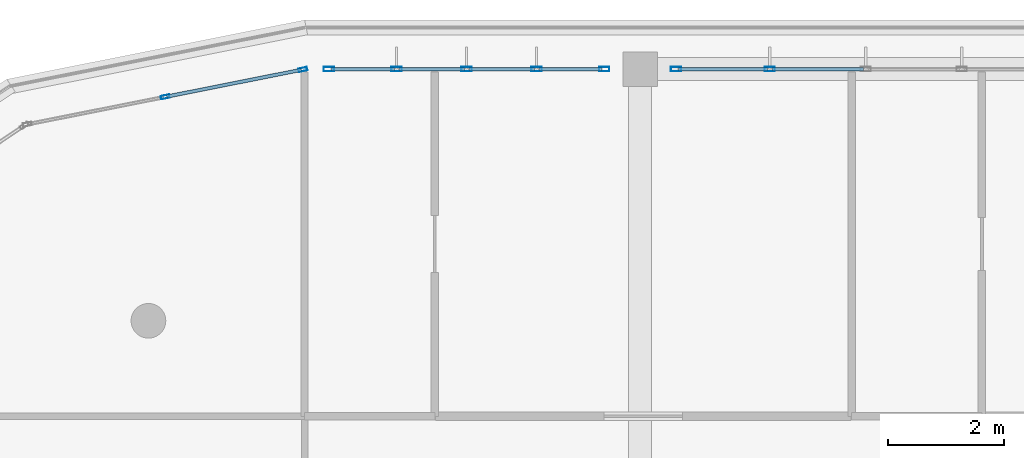
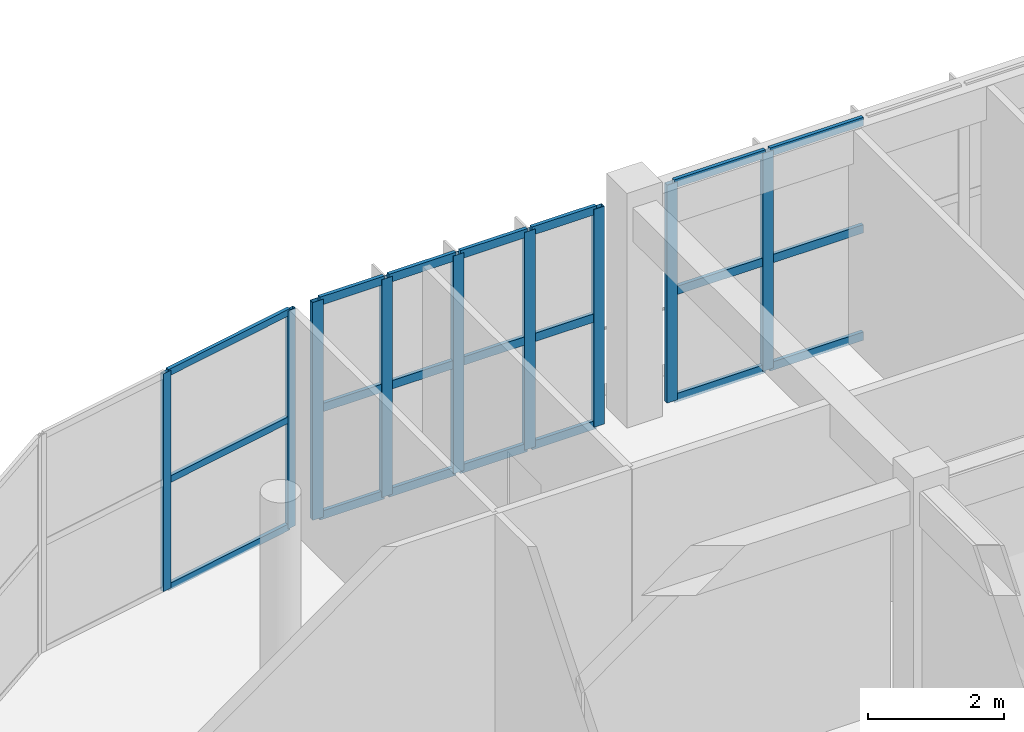
# One storey, part 9 of 50: 30 members, 3 elements without a shape of their own.
"""IFC4 building model written with IfcOpenShell, lengths in metres."""

from ifc_helpers import new_model, si_unit, direction, frame, origin, origin_2d, place, context, subcontext, project, spatial, hollow_rectangle, extrude, material, layer, layer_set, material_profile, profile_set, type_object, element, aggregate, save


model = new_model("IFC4")

# Units and contexts
model_context = context("Model", 3, precision=1e-05, world=origin(), true_north=direction((0.0, 1.0)))
body_context = subcontext(model_context, "Body", "Model", "MODEL_VIEW")
ifc_project = project(units=[si_unit("LENGTHUNIT", "METRE"), si_unit("AREAUNIT", "SQUARE_METRE"), si_unit("VOLUMEUNIT", "CUBIC_METRE"), si_unit("PLANEANGLEUNIT", "RADIAN"), si_unit("MASSUNIT", "GRAM", prefix="KILO")], contexts=[model_context])

# Site, building, storey
site_placement = place(None, origin())
site = spatial("IfcSite", under=ifc_project, at=site_placement, CompositionType="ELEMENT")
building_placement = place(site_placement, origin())
building = spatial("IfcBuilding", under=site, at=building_placement, Name="Zizhar Promenade General Hospital", CompositionType="ELEMENT")
storey_placement = place(building_placement, frame((0.0, 0.0, 30.60009765625)))
storey = spatial("IfcBuildingStorey", under=building, at=storey_placement, Name="L07", CompositionType="ELEMENT", Elevation=30.60009765625)

# Curtain wall, members
ifc_material_1 = material(Name="Anodised aluminium 6063-T6 and low-E glass", Category="aluminium")
ifc_layer_1 = layer(ifc_material_1, 0.159912109375)
ifc_layer_set_1 = layer_set([ifc_layer_1], Name="Anodised aluminium 6063-T6 and low-E glass")
curtain_wall_type_1 = type_object("IfcCurtainWallType", Name="CW-WARD-ARC", PredefinedType="NOTDEFINED", material=ifc_layer_set_1)
curtain_wall_1_placement = place(storey_placement, origin())
curtain_wall_1 = element("IfcCurtainWall", 1, at=curtain_wall_1_placement, inside=storey, type_object=curtain_wall_type_1, Name="Ward Semicircular End Glazing L07-10", PredefinedType="NOTDEFINED")
ifc_material_2 = material(Name="Anodised aluminium 6063-T6", Category="aluminium")
ifc_material_profile_1 = material_profile(ifc_material_2, hollow_rectangle(XDim=0.06005859375, YDim=0.14990234375, WallThickness=0.00390625, at=origin_2d()))
ifc_profile_set_1 = profile_set([ifc_material_profile_1], Name="Anodised aluminium 6063-T6")
member_type_1 = type_object("IfcMemberType", Name="CWM-ALU-150x60", PredefinedType="MULLION", material=ifc_profile_set_1)
member_1_placement = place(storey_placement, frame((38.589111328125, 24.720458984375, 0.0), z_axis=(0.0, 0.0, 1.0), x_axis=(-0.195087259275, 0.980785889615, 0.0)))
member_1 = element("IfcMember", 2, at=member_1_placement, type_object=member_type_1, Name="CW-12 mullion 2", PredefinedType="MULLION", context=body_context, shape_type="SweptSolid", body=[
    extrude(hollow_rectangle(XDim=0.06005859375, YDim=0.14990234375, WallThickness=0.00390625, at=origin_2d()), origin(), (0.0, 0.0, 1.0), 3.89990234375),
])
member_2_placement = place(storey_placement, frame((40.970458984375, 25.194091796875, 0.0), z_axis=(0.0, 0.0, 1.0), x_axis=(-0.195087259275, 0.980785889615, 0.0)))
member_2 = element("IfcMember", 3, at=member_2_placement, type_object=member_type_1, Name="CW-12 mullion 3", PredefinedType="MULLION", context=body_context, shape_type="SweptSolid", body=[
    extrude(hollow_rectangle(XDim=0.06005859375, YDim=0.14990234375, WallThickness=0.00390625, at=origin_2d()), origin(), (0.0, 0.0, 1.0), 3.89990234375),
])

ifc_material_3 = material(Name="Anodised aluminium 6063-T6 and low-E glass", Category="aluminium")
ifc_layer_2 = layer(ifc_material_3, 0.159912109375)
ifc_layer_set_2 = layer_set([ifc_layer_2], Name="Anodised aluminium 6063-T6 and low-E glass")
curtain_wall_type_2 = type_object("IfcCurtainWallType", Name="CW-WARD-RIB", PredefinedType="NOTDEFINED", material=ifc_layer_set_2)
curtain_wall_2_placement = place(storey_placement, origin())
curtain_wall_2 = element("IfcCurtainWall", 4, at=curtain_wall_2_placement, inside=storey, type_object=curtain_wall_type_2, Name="Ward Ribbon Curtain Wall L07-8-0", PredefinedType="NOTDEFINED")
ifc_material_4 = material(Name="Anodised aluminium 6063-T6", Category="aluminium")
ifc_material_profile_2 = material_profile(ifc_material_4, hollow_rectangle(XDim=0.080078125, YDim=0.179931640625, WallThickness=0.0048828125, at=origin_2d()))
ifc_profile_set_2 = profile_set([ifc_material_profile_2], Name="Anodised aluminium 6063-T6")
member_type_2 = type_object("IfcMemberType", Name="CWM-ALU-180x80", PredefinedType="MULLION", material=ifc_profile_set_2)
member_3_placement = place(storey_placement, frame((41.419921875, 25.199951171875, 0.0), z_axis=(0.0, 0.0, 1.0), x_axis=(0.0, 1.0, 0.0)))
member_3 = element("IfcMember", 5, at=member_3_placement, type_object=member_type_2, Name="CW-13 mullion 1", PredefinedType="MULLION", context=body_context, shape_type="SweptSolid", body=[
    extrude(hollow_rectangle(XDim=0.080078125, YDim=0.179931640625, WallThickness=0.0048828125, at=origin_2d()), origin(), (0.0, 0.0, 1.0), 3.89990234375),
])
member_4_placement = place(storey_placement, frame((42.590087890625, 25.199951171875, 0.0), z_axis=(0.0, 0.0, 1.0), x_axis=(0.0, 1.0, 0.0)))
member_4 = element("IfcMember", 6, at=member_4_placement, type_object=member_type_2, Name="CW-13 mullion 2", PredefinedType="MULLION", context=body_context, shape_type="SweptSolid", body=[
    extrude(hollow_rectangle(XDim=0.080078125, YDim=0.179931640625, WallThickness=0.0048828125, at=origin_2d()), origin(), (0.0, 0.0, 1.0), 3.89990234375),
])
member_5_placement = place(storey_placement, frame((43.800048828125, 25.199951171875, 0.0), z_axis=(0.0, 0.0, 1.0), x_axis=(0.0, 1.0, 0.0)))
member_5 = element("IfcMember", 7, at=member_5_placement, type_object=member_type_2, Name="CW-13 mullion 3", PredefinedType="MULLION", context=body_context, shape_type="SweptSolid", body=[
    extrude(hollow_rectangle(XDim=0.080078125, YDim=0.179931640625, WallThickness=0.0048828125, at=origin_2d()), origin(), (0.0, 0.0, 1.0), 3.89990234375),
])
member_6_placement = place(storey_placement, frame((45.010009765625, 25.199951171875, 0.0), z_axis=(0.0, 0.0, 1.0), x_axis=(0.0, 1.0, 0.0)))
member_6 = element("IfcMember", 8, at=member_6_placement, type_object=member_type_2, Name="CW-13 mullion 4", PredefinedType="MULLION", context=body_context, shape_type="SweptSolid", body=[
    extrude(hollow_rectangle(XDim=0.080078125, YDim=0.179931640625, WallThickness=0.0048828125, at=origin_2d()), origin(), (0.0, 0.0, 1.0), 3.89990234375),
])
member_7_placement = place(storey_placement, frame((46.179931640625, 25.199951171875, 0.0), z_axis=(0.0, 0.0, 1.0), x_axis=(0.0, 1.0, 0.0)))
member_7 = element("IfcMember", 9, at=member_7_placement, type_object=member_type_2, Name="CW-13 mullion 5", PredefinedType="MULLION", context=body_context, shape_type="SweptSolid", body=[
    extrude(hollow_rectangle(XDim=0.080078125, YDim=0.179931640625, WallThickness=0.0048828125, at=origin_2d()), origin(), (0.0, 0.0, 1.0), 3.89990234375),
])

curtain_wall_3_placement = place(storey_placement, origin())
curtain_wall_3 = element("IfcCurtainWall", 10, at=curtain_wall_3_placement, inside=storey, type_object=curtain_wall_type_2, Name="Ward Ribbon Curtain Wall L07-8-1", PredefinedType="NOTDEFINED")
member_8_placement = place(storey_placement, frame((47.419921875, 25.199951171875, 0.0), z_axis=(0.0, 0.0, 1.0), x_axis=(0.0, 1.0, 0.0)))
member_8 = element("IfcMember", 11, at=member_8_placement, type_object=member_type_2, Name="CW-13 mullion 1", PredefinedType="MULLION", context=body_context, shape_type="SweptSolid", body=[
    extrude(hollow_rectangle(XDim=0.080078125, YDim=0.179931640625, WallThickness=0.0048828125, at=origin_2d()), origin(), (0.0, 0.0, 1.0), 3.89990234375),
])
member_9_placement = place(storey_placement, frame((49.0400390625, 25.199951171875, 0.0), z_axis=(0.0, 0.0, 1.0), x_axis=(0.0, 1.0, 0.0)))
member_9 = element("IfcMember", 12, at=member_9_placement, type_object=member_type_2, Name="CW-13 mullion 2", PredefinedType="MULLION", context=body_context, shape_type="SweptSolid", body=[
    extrude(hollow_rectangle(XDim=0.080078125, YDim=0.179931640625, WallThickness=0.0048828125, at=origin_2d()), origin(), (0.0, 0.0, 1.0), 3.89990234375),
])

# Member
ifc_material_5 = material(Name="Anodised aluminium 6063-T6", Category="aluminium")
ifc_material_profile_3 = material_profile(ifc_material_5, hollow_rectangle(XDim=0.06005859375, YDim=0.1201171875, WallThickness=0.00390625, at=origin_2d()))
ifc_profile_set_3 = profile_set([ifc_material_profile_3], Name="Anodised aluminium 6063-T6")
member_type_3 = type_object("IfcMemberType", Name="CWT-ALU-120x60", PredefinedType="USERDEFINED", material=ifc_profile_set_3)
member_10_placement = place(storey_placement, frame((38.618408203125, 24.726318359375, 0.02978515625), z_axis=(0.980794200422, 0.195045472693, 0.0), x_axis=(-0.195045472693, 0.980794200422, 0.0)))
member_10 = element("IfcMember", 13, at=member_10_placement, type_object=member_type_3, Name="CW-12 transom 2.1", ObjectType="TRANSOM", PredefinedType="USERDEFINED", context=body_context, shape_type="SweptSolid", body=[
    extrude(hollow_rectangle(XDim=0.06005859375, YDim=0.1201171875, WallThickness=0.00390625, at=origin_2d()), origin(), (0.0, 0.0, 1.0), 2.3681640625),
])

member_11_placement = place(storey_placement, frame((38.618408203125, 24.726318359375, 1.949951171875), z_axis=(0.980794200422, 0.195045472693, 0.0), x_axis=(-0.195045472693, 0.980794200422, 0.0)))
member_11 = element("IfcMember", 14, at=member_11_placement, type_object=member_type_3, Name="CW-12 transom 2.2", ObjectType="TRANSOM", PredefinedType="USERDEFINED", context=body_context, shape_type="SweptSolid", body=[
    extrude(hollow_rectangle(XDim=0.06005859375, YDim=0.1201171875, WallThickness=0.00390625, at=origin_2d()), origin(), (0.0, 0.0, 1.0), 2.3681640625),
])

member_12_placement = place(storey_placement, frame((38.618408203125, 24.726318359375, 3.869873046875), z_axis=(0.980794200422, 0.195045472693, 0.0), x_axis=(-0.195045472693, 0.980794200422, 0.0)))
member_12 = element("IfcMember", 15, at=member_12_placement, type_object=member_type_3, Name="CW-12 transom 2.3", ObjectType="TRANSOM", PredefinedType="USERDEFINED", context=body_context, shape_type="SweptSolid", body=[
    extrude(hollow_rectangle(XDim=0.06005859375, YDim=0.1201171875, WallThickness=0.00390625, at=origin_2d()), origin(), (0.0, 0.0, 1.0), 2.3681640625),
])

aggregate(curtain_wall_1, [member_1, member_2, member_10, member_11, member_12])

ifc_material_6 = material(Name="Anodised aluminium 6063-T6", Category="aluminium")
ifc_material_profile_4 = material_profile(ifc_material_6, hollow_rectangle(XDim=0.06005859375, YDim=0.14990234375, WallThickness=0.00390625, at=origin_2d()))
ifc_profile_set_4 = profile_set([ifc_material_profile_4], Name="Anodised aluminium 6063-T6")
member_type_4 = type_object("IfcMemberType", Name="CWT-ALU-150x60", PredefinedType="USERDEFINED", material=ifc_profile_set_4)
member_13_placement = place(storey_placement, frame((41.4599609375, 25.199951171875, 0.02978515625), z_axis=(1.0, 0.0, 0.0), x_axis=(0.0, 1.0, 0.0)))
member_13 = element("IfcMember", 16, at=member_13_placement, type_object=member_type_4, Name="CW-13 transom 1.1", ObjectType="TRANSOM", PredefinedType="USERDEFINED", context=body_context, shape_type="SweptSolid", body=[
    extrude(hollow_rectangle(XDim=0.06005859375, YDim=0.14990234375, WallThickness=0.00390625, at=origin_2d()), origin(), (0.0, 0.0, 1.0), 1.090087890625),
])

member_14_placement = place(storey_placement, frame((41.4599609375, 25.199951171875, 1.949951171875), z_axis=(1.0, 0.0, 0.0), x_axis=(0.0, 1.0, 0.0)))
member_14 = element("IfcMember", 17, at=member_14_placement, type_object=member_type_4, Name="CW-13 transom 1.2", ObjectType="TRANSOM", PredefinedType="USERDEFINED", context=body_context, shape_type="SweptSolid", body=[
    extrude(hollow_rectangle(XDim=0.06005859375, YDim=0.14990234375, WallThickness=0.00390625, at=origin_2d()), origin(), (0.0, 0.0, 1.0), 1.090087890625),
])

member_15_placement = place(storey_placement, frame((41.4599609375, 25.199951171875, 3.869873046875), z_axis=(1.0, 0.0, 0.0), x_axis=(0.0, 1.0, 0.0)))
member_15 = element("IfcMember", 18, at=member_15_placement, type_object=member_type_4, Name="CW-13 transom 1.3", ObjectType="TRANSOM", PredefinedType="USERDEFINED", context=body_context, shape_type="SweptSolid", body=[
    extrude(hollow_rectangle(XDim=0.06005859375, YDim=0.14990234375, WallThickness=0.00390625, at=origin_2d()), origin(), (0.0, 0.0, 1.0), 1.090087890625),
])

member_16_placement = place(storey_placement, frame((42.6298828125, 25.199951171875, 0.02978515625), z_axis=(1.0, 0.0, 0.0), x_axis=(0.0, 1.0, 0.0)))
member_16 = element("IfcMember", 19, at=member_16_placement, type_object=member_type_4, Name="CW-13 transom 2.1", ObjectType="TRANSOM", PredefinedType="USERDEFINED", context=body_context, shape_type="SweptSolid", body=[
    extrude(hollow_rectangle(XDim=0.06005859375, YDim=0.14990234375, WallThickness=0.00390625, at=origin_2d()), origin(), (0.0, 0.0, 1.0), 1.130126953125),
])

member_17_placement = place(storey_placement, frame((42.6298828125, 25.199951171875, 1.949951171875), z_axis=(1.0, 0.0, 0.0), x_axis=(0.0, 1.0, 0.0)))
member_17 = element("IfcMember", 20, at=member_17_placement, type_object=member_type_4, Name="CW-13 transom 2.2", ObjectType="TRANSOM", PredefinedType="USERDEFINED", context=body_context, shape_type="SweptSolid", body=[
    extrude(hollow_rectangle(XDim=0.06005859375, YDim=0.14990234375, WallThickness=0.00390625, at=origin_2d()), origin(), (0.0, 0.0, 1.0), 1.130126953125),
])

member_18_placement = place(storey_placement, frame((42.6298828125, 25.199951171875, 3.869873046875), z_axis=(1.0, 0.0, 0.0), x_axis=(0.0, 1.0, 0.0)))
member_18 = element("IfcMember", 21, at=member_18_placement, type_object=member_type_4, Name="CW-13 transom 2.3", ObjectType="TRANSOM", PredefinedType="USERDEFINED", context=body_context, shape_type="SweptSolid", body=[
    extrude(hollow_rectangle(XDim=0.06005859375, YDim=0.14990234375, WallThickness=0.00390625, at=origin_2d()), origin(), (0.0, 0.0, 1.0), 1.130126953125),
])

member_19_placement = place(storey_placement, frame((43.840087890625, 25.199951171875, 0.02978515625), z_axis=(1.0, 0.0, 0.0), x_axis=(0.0, 1.0, 0.0)))
member_19 = element("IfcMember", 22, at=member_19_placement, type_object=member_type_4, Name="CW-13 transom 3.1", ObjectType="TRANSOM", PredefinedType="USERDEFINED", context=body_context, shape_type="SweptSolid", body=[
    extrude(hollow_rectangle(XDim=0.06005859375, YDim=0.14990234375, WallThickness=0.00390625, at=origin_2d()), origin(), (0.0, 0.0, 1.0), 1.1298828125),
])

member_20_placement = place(storey_placement, frame((43.840087890625, 25.199951171875, 1.949951171875), z_axis=(1.0, 0.0, 0.0), x_axis=(0.0, 1.0, 0.0)))
member_20 = element("IfcMember", 23, at=member_20_placement, type_object=member_type_4, Name="CW-13 transom 3.2", ObjectType="TRANSOM", PredefinedType="USERDEFINED", context=body_context, shape_type="SweptSolid", body=[
    extrude(hollow_rectangle(XDim=0.06005859375, YDim=0.14990234375, WallThickness=0.00390625, at=origin_2d()), origin(), (0.0, 0.0, 1.0), 1.1298828125),
])

member_21_placement = place(storey_placement, frame((43.840087890625, 25.199951171875, 3.869873046875), z_axis=(1.0, 0.0, 0.0), x_axis=(0.0, 1.0, 0.0)))
member_21 = element("IfcMember", 24, at=member_21_placement, type_object=member_type_4, Name="CW-13 transom 3.3", ObjectType="TRANSOM", PredefinedType="USERDEFINED", context=body_context, shape_type="SweptSolid", body=[
    extrude(hollow_rectangle(XDim=0.06005859375, YDim=0.14990234375, WallThickness=0.00390625, at=origin_2d()), origin(), (0.0, 0.0, 1.0), 1.1298828125),
])

member_22_placement = place(storey_placement, frame((45.050048828125, 25.199951171875, 0.02978515625), z_axis=(1.0, 0.0, 0.0), x_axis=(0.0, 1.0, 0.0)))
member_22 = element("IfcMember", 25, at=member_22_placement, type_object=member_type_4, Name="CW-13 transom 4.1", ObjectType="TRANSOM", PredefinedType="USERDEFINED", context=body_context, shape_type="SweptSolid", body=[
    extrude(hollow_rectangle(XDim=0.06005859375, YDim=0.14990234375, WallThickness=0.00390625, at=origin_2d()), origin(), (0.0, 0.0, 1.0), 1.08984375),
])

member_23_placement = place(storey_placement, frame((45.050048828125, 25.199951171875, 1.949951171875), z_axis=(1.0, 0.0, 0.0), x_axis=(0.0, 1.0, 0.0)))
member_23 = element("IfcMember", 26, at=member_23_placement, type_object=member_type_4, Name="CW-13 transom 4.2", ObjectType="TRANSOM", PredefinedType="USERDEFINED", context=body_context, shape_type="SweptSolid", body=[
    extrude(hollow_rectangle(XDim=0.06005859375, YDim=0.14990234375, WallThickness=0.00390625, at=origin_2d()), origin(), (0.0, 0.0, 1.0), 1.08984375),
])

member_24_placement = place(storey_placement, frame((45.050048828125, 25.199951171875, 3.869873046875), z_axis=(1.0, 0.0, 0.0), x_axis=(0.0, 1.0, 0.0)))
member_24 = element("IfcMember", 27, at=member_24_placement, type_object=member_type_4, Name="CW-13 transom 4.3", ObjectType="TRANSOM", PredefinedType="USERDEFINED", context=body_context, shape_type="SweptSolid", body=[
    extrude(hollow_rectangle(XDim=0.06005859375, YDim=0.14990234375, WallThickness=0.00390625, at=origin_2d()), origin(), (0.0, 0.0, 1.0), 1.08984375),
])

aggregate(curtain_wall_2, [member_3, member_4, member_5, member_6, member_7, member_13, member_14, member_15, member_16, member_17, member_18, member_19, member_20, member_21, member_22, member_23, member_24])

member_25_placement = place(storey_placement, frame((47.4599609375, 25.199951171875, 0.02978515625), z_axis=(1.0, 0.0, 0.0), x_axis=(0.0, 1.0, 0.0)))
member_25 = element("IfcMember", 28, at=member_25_placement, type_object=member_type_4, Name="CW-13 transom 1.1", ObjectType="TRANSOM", PredefinedType="USERDEFINED", context=body_context, shape_type="SweptSolid", body=[
    extrude(hollow_rectangle(XDim=0.06005859375, YDim=0.14990234375, WallThickness=0.00390625, at=origin_2d()), origin(), (0.0, 0.0, 1.0), 1.5400390625),
])

member_26_placement = place(storey_placement, frame((47.4599609375, 25.199951171875, 1.949951171875), z_axis=(1.0, 0.0, 0.0), x_axis=(0.0, 1.0, 0.0)))
member_26 = element("IfcMember", 29, at=member_26_placement, type_object=member_type_4, Name="CW-13 transom 1.2", ObjectType="TRANSOM", PredefinedType="USERDEFINED", context=body_context, shape_type="SweptSolid", body=[
    extrude(hollow_rectangle(XDim=0.06005859375, YDim=0.14990234375, WallThickness=0.00390625, at=origin_2d()), origin(), (0.0, 0.0, 1.0), 1.5400390625),
])

member_27_placement = place(storey_placement, frame((47.4599609375, 25.199951171875, 3.869873046875), z_axis=(1.0, 0.0, 0.0), x_axis=(0.0, 1.0, 0.0)))
member_27 = element("IfcMember", 30, at=member_27_placement, type_object=member_type_4, Name="CW-13 transom 1.3", ObjectType="TRANSOM", PredefinedType="USERDEFINED", context=body_context, shape_type="SweptSolid", body=[
    extrude(hollow_rectangle(XDim=0.06005859375, YDim=0.14990234375, WallThickness=0.00390625, at=origin_2d()), origin(), (0.0, 0.0, 1.0), 1.5400390625),
])

member_28_placement = place(storey_placement, frame((49.080078125, 25.199951171875, 0.02978515625), z_axis=(1.0, 0.0, 0.0), x_axis=(0.0, 1.0, 0.0)))
member_28 = element("IfcMember", 31, at=member_28_placement, type_object=member_type_4, Name="CW-13 transom 2.1", ObjectType="TRANSOM", PredefinedType="USERDEFINED", context=body_context, shape_type="SweptSolid", body=[
    extrude(hollow_rectangle(XDim=0.06005859375, YDim=0.14990234375, WallThickness=0.00390625, at=origin_2d()), origin(), (0.0, 0.0, 1.0), 1.579833984375),
])

member_29_placement = place(storey_placement, frame((49.080078125, 25.199951171875, 1.949951171875), z_axis=(1.0, 0.0, 0.0), x_axis=(0.0, 1.0, 0.0)))
member_29 = element("IfcMember", 32, at=member_29_placement, type_object=member_type_4, Name="CW-13 transom 2.2", ObjectType="TRANSOM", PredefinedType="USERDEFINED", context=body_context, shape_type="SweptSolid", body=[
    extrude(hollow_rectangle(XDim=0.06005859375, YDim=0.14990234375, WallThickness=0.00390625, at=origin_2d()), origin(), (0.0, 0.0, 1.0), 1.579833984375),
])

member_30_placement = place(storey_placement, frame((49.080078125, 25.199951171875, 3.869873046875), z_axis=(1.0, 0.0, 0.0), x_axis=(0.0, 1.0, 0.0)))
member_30 = element("IfcMember", 33, at=member_30_placement, type_object=member_type_4, Name="CW-13 transom 2.3", ObjectType="TRANSOM", PredefinedType="USERDEFINED", context=body_context, shape_type="SweptSolid", body=[
    extrude(hollow_rectangle(XDim=0.06005859375, YDim=0.14990234375, WallThickness=0.00390625, at=origin_2d()), origin(), (0.0, 0.0, 1.0), 1.579833984375),
])

aggregate(curtain_wall_3, [member_8, member_9, member_25, member_26, member_27, member_28, member_29, member_30])

save(model, "model.ifc")
